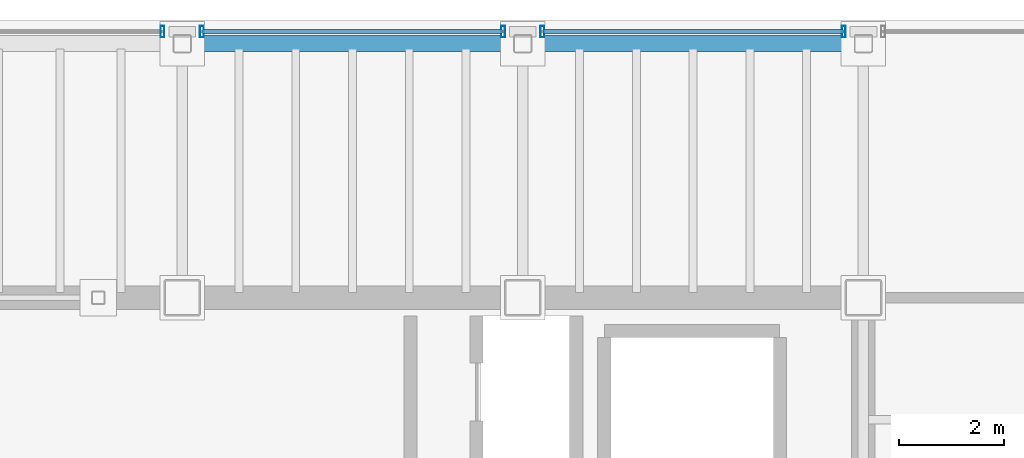
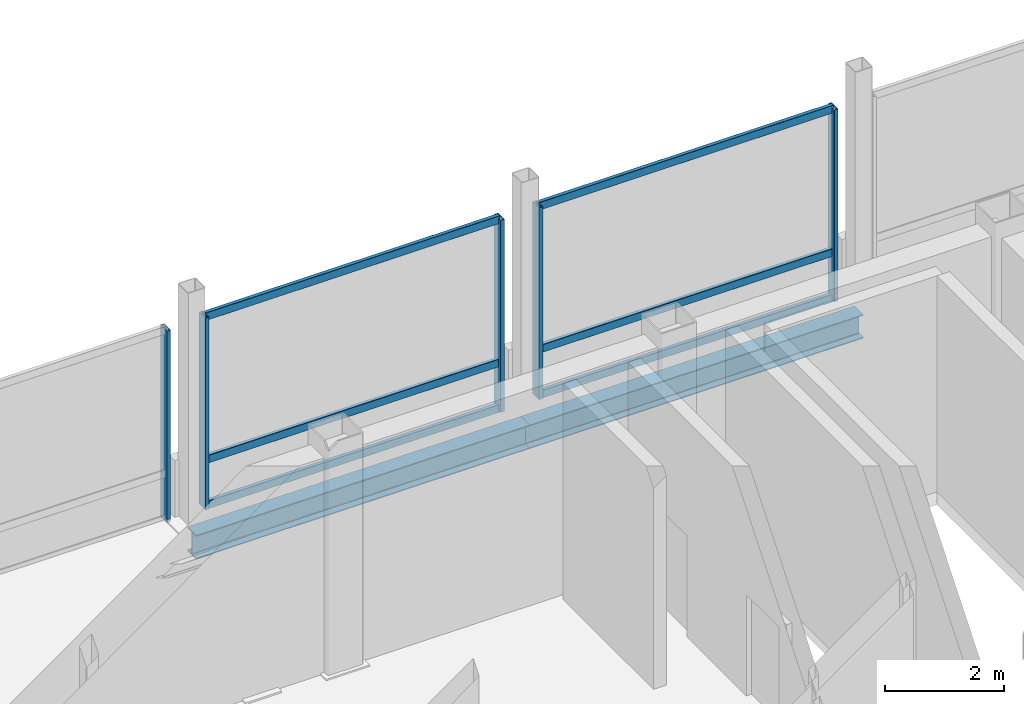
# One storey, part 14 of 20: 11 members, 2 beams, 3 elements without a shape of their own.
"""IFC4 building model written with IfcOpenShell, lengths in metres."""

from ifc_helpers import new_model, si_unit, direction, frame, origin, origin_2d, place, context, subcontext, project, spatial, hollow_rectangle, i_section, extrude, material, material_profile, profile_set, type_object, element, aggregate, save


model = new_model("IFC4")

# Units and contexts
model_context = context("Model", 3, precision=1e-05, world=origin(), true_north=direction((0.0, 1.0)))
body_context = subcontext(model_context, "Body", "Model", "MODEL_VIEW")
ifc_project = project(units=[si_unit("LENGTHUNIT", "METRE"), si_unit("AREAUNIT", "SQUARE_METRE"), si_unit("VOLUMEUNIT", "CUBIC_METRE"), si_unit("PLANEANGLEUNIT", "RADIAN"), si_unit("MASSUNIT", "GRAM", prefix="KILO")], contexts=[model_context])

# Site, building, storey
site_placement = place(None, origin())
site = spatial("IfcSite", under=ifc_project, at=site_placement, CompositionType="ELEMENT")
building_placement = place(site_placement, origin())
building = spatial("IfcBuilding", under=site, at=building_placement, Name="Noeulbin Bourse Tower", CompositionType="ELEMENT")
storey_placement = place(building_placement, frame((0.0, 0.0, 312.60009765625)))
storey = spatial("IfcBuildingStorey", under=building, at=storey_placement, Name="L77", CompositionType="ELEMENT", Elevation=312.60009765625)

# Beams
ifc_material_1 = material(Name="Steel S355", Category="steel")
ifc_material_profile_1 = material_profile(ifc_material_1, i_section(OverallWidth=0.300048828125, OverallDepth=0.488037109375, WebThickness=0.010986328125, FlangeThickness=0.01806640625, FilletRadius=0.02197265625, at=origin_2d()), Name="H-488x300x11x18", Category="LoadBearing")
ifc_profile_set_1 = profile_set([ifc_material_profile_1], Name="Steel S355")
beam_type = type_object("IfcBeamType", Name="BM-SPN-488", PredefinedType="SPANDREL", material=ifc_profile_set_1)
for number, where, z_axis, x_axis, name in (
    (1, (31.0, 43.14990234375, -0.504150390625), (1.0, 0.0, 0.0), (0.0, 1.0, 0.0), "North Spandrel L77-2"),
    (2, (37.5, 43.14990234375, -0.504150390625), (1.0, 0.0, 0.0), (0.0, 1.0, 0.0), "North Spandrel L77-3"),
):
    element("IfcBeam", number, at=place(storey_placement, frame(where, z_axis=z_axis, x_axis=x_axis)), inside=storey, type_object=beam_type, Name=name, PredefinedType="SPANDREL", context=body_context, shape_type="SweptSolid", body=[
        extrude(i_section(OverallWidth=0.300048828125, OverallDepth=0.488037109375, WebThickness=0.010986328125, FlangeThickness=0.01806640625, FilletRadius=0.02197265625, at=origin_2d()), origin(), (0.0, 0.0, 1.0), 6.5),
    ])

# Curtain wall, member
ifc_material_2 = material(Name="High-Selectivity Low-Iron Glazing", Category="glass")
curtain_wall_type = type_object("IfcCurtainWallType", Name="CW-SYS-4", PredefinedType="NOTDEFINED", material=ifc_material_2)
curtain_wall_1_placement = place(storey_placement, origin())
curtain_wall_1 = element("IfcCurtainWall", 3, at=curtain_wall_1_placement, inside=storey, type_object=curtain_wall_type, Name="Unitised Curtain Wall CW-L77-N-S2", PredefinedType="NOTDEFINED")
ifc_material_3 = material(Name="Anodised Aluminium 6063-T6", Category="aluminium")
ifc_material_profile_2 = material_profile(ifc_material_3, hollow_rectangle(XDim=0.074951171875, YDim=0.219970703125, WallThickness=0.0048828125, InnerFilletRadius=0.00244140625, OuterFilletRadius=0.0048828125, at=origin_2d()), Name="ALU-MULL-75x220x5", Category="LoadBearing")
ifc_profile_set_2 = profile_set([ifc_material_profile_2], Name="Anodised Aluminium 6063-T6")
member_type_1 = type_object("IfcMemberType", Name="CW-SYS-4-MUL", PredefinedType="MULLION", material=ifc_profile_set_2)
member_1_placement = place(storey_placement, frame((30.625, 43.3798828125, -0.02001953125), z_axis=(0.0, 0.0, 1.0), x_axis=(1.0, 0.0, 0.0)))
member_1 = element("IfcMember", 4, at=member_1_placement, type_object=member_type_1, Name="Curtain Wall Mullion CW-L77-N-S2-M01", PredefinedType="MULLION", context=body_context, shape_type="SweptSolid", body=[
    extrude(hollow_rectangle(XDim=0.074951171875, YDim=0.219970703125, WallThickness=0.0048828125, InnerFilletRadius=0.00244140625, OuterFilletRadius=0.0048828125, at=origin_2d()), origin(), (0.0, 0.0, 1.0), 3.949951171875),
])
aggregate(curtain_wall_1, [member_1])

# Curtain wall, members
curtain_wall_2_placement = place(storey_placement, origin())
curtain_wall_2 = element("IfcCurtainWall", 5, at=curtain_wall_2_placement, inside=storey, type_object=curtain_wall_type, Name="Unitised Curtain Wall CW-L77-N-S3", PredefinedType="NOTDEFINED")
member_2_placement = place(storey_placement, frame((31.375, 43.3798828125, -0.02001953125), z_axis=(0.0, 0.0, 1.0), x_axis=(1.0, 0.0, 0.0)))
member_2 = element("IfcMember", 6, at=member_2_placement, type_object=member_type_1, Name="Curtain Wall Mullion CW-L77-N-S3-M00", PredefinedType="MULLION", context=body_context, shape_type="SweptSolid", body=[
    extrude(hollow_rectangle(XDim=0.074951171875, YDim=0.219970703125, WallThickness=0.0048828125, InnerFilletRadius=0.00244140625, OuterFilletRadius=0.0048828125, at=origin_2d()), origin(), (0.0, 0.0, 1.0), 3.949951171875),
])
member_3_placement = place(storey_placement, frame((37.125, 43.3798828125, -0.02001953125), z_axis=(0.0, 0.0, 1.0), x_axis=(1.0, 0.0, 0.0)))
member_3 = element("IfcMember", 7, at=member_3_placement, type_object=member_type_1, Name="Curtain Wall Mullion CW-L77-N-S3-M01", PredefinedType="MULLION", context=body_context, shape_type="SweptSolid", body=[
    extrude(hollow_rectangle(XDim=0.074951171875, YDim=0.219970703125, WallThickness=0.0048828125, InnerFilletRadius=0.00244140625, OuterFilletRadius=0.0048828125, at=origin_2d()), origin(), (0.0, 0.0, 1.0), 3.949951171875),
])

curtain_wall_3_placement = place(storey_placement, origin())
curtain_wall_3 = element("IfcCurtainWall", 8, at=curtain_wall_3_placement, inside=storey, type_object=curtain_wall_type, Name="Unitised Curtain Wall CW-L77-N-S4", PredefinedType="NOTDEFINED")
member_4_placement = place(storey_placement, frame((37.875, 43.3798828125, -0.02001953125), z_axis=(0.0, 0.0, 1.0), x_axis=(1.0, 0.0, 0.0)))
member_4 = element("IfcMember", 9, at=member_4_placement, type_object=member_type_1, Name="Curtain Wall Mullion CW-L77-N-S4-M00", PredefinedType="MULLION", context=body_context, shape_type="SweptSolid", body=[
    extrude(hollow_rectangle(XDim=0.074951171875, YDim=0.219970703125, WallThickness=0.0048828125, InnerFilletRadius=0.00244140625, OuterFilletRadius=0.0048828125, at=origin_2d()), origin(), (0.0, 0.0, 1.0), 3.949951171875),
])
member_5_placement = place(storey_placement, frame((43.625, 43.3798828125, -0.02001953125), z_axis=(0.0, 0.0, 1.0), x_axis=(1.0, 0.0, 0.0)))
member_5 = element("IfcMember", 10, at=member_5_placement, type_object=member_type_1, Name="Curtain Wall Mullion CW-L77-N-S4-M01", PredefinedType="MULLION", context=body_context, shape_type="SweptSolid", body=[
    extrude(hollow_rectangle(XDim=0.074951171875, YDim=0.219970703125, WallThickness=0.0048828125, InnerFilletRadius=0.00244140625, OuterFilletRadius=0.0048828125, at=origin_2d()), origin(), (0.0, 0.0, 1.0), 3.949951171875),
])

# Member
ifc_material_profile_3 = material_profile(ifc_material_3, hollow_rectangle(XDim=0.074951171875, YDim=0.159912109375, WallThickness=0.0048828125, InnerFilletRadius=0.00244140625, OuterFilletRadius=0.0048828125, at=origin_2d()), Name="ALU-TRAN-75x160x5", Category="LoadBearing")
ifc_profile_set_3 = profile_set([ifc_material_profile_3], Name="Anodised Aluminium 6063-T6")
member_type_2 = type_object("IfcMemberType", Name="CW-SYS-4-TRN", PredefinedType="USERDEFINED", material=ifc_profile_set_3)
member_6_placement = place(storey_placement, frame((31.385009765625, 43.3798828125, 0.010009765625), z_axis=(1.0, 0.0, 0.0), x_axis=(0.0, 1.0, 0.0)))
member_6 = element("IfcMember", 11, at=member_6_placement, type_object=member_type_2, Name="Curtain Wall Transom CW-L77-N-S3-T00", ObjectType="TRANSOM", PredefinedType="USERDEFINED", context=body_context, shape_type="SweptSolid", body=[
    extrude(hollow_rectangle(XDim=0.074951171875, YDim=0.159912109375, WallThickness=0.0048828125, InnerFilletRadius=0.00244140625, OuterFilletRadius=0.0048828125, at=origin_2d()), origin(), (0.0, 0.0, 1.0), 5.72998046875),
])

member_7_placement = place(storey_placement, frame((31.385009765625, 43.3798828125, 0.949951171875), z_axis=(1.0, 0.0, 0.0), x_axis=(0.0, 1.0, 0.0)))
member_7 = element("IfcMember", 12, at=member_7_placement, type_object=member_type_2, Name="Curtain Wall Transom CW-L77-N-S3-T01", ObjectType="TRANSOM", PredefinedType="USERDEFINED", context=body_context, shape_type="SweptSolid", body=[
    extrude(hollow_rectangle(XDim=0.074951171875, YDim=0.159912109375, WallThickness=0.0048828125, InnerFilletRadius=0.00244140625, OuterFilletRadius=0.0048828125, at=origin_2d()), origin(), (0.0, 0.0, 1.0), 5.72998046875),
])

member_8_placement = place(storey_placement, frame((31.385009765625, 43.3798828125, 3.89990234375), z_axis=(1.0, 0.0, 0.0), x_axis=(0.0, 1.0, 0.0)))
member_8 = element("IfcMember", 13, at=member_8_placement, type_object=member_type_2, Name="Curtain Wall Transom CW-L77-N-S3-T02", ObjectType="TRANSOM", PredefinedType="USERDEFINED", context=body_context, shape_type="SweptSolid", body=[
    extrude(hollow_rectangle(XDim=0.074951171875, YDim=0.159912109375, WallThickness=0.0048828125, InnerFilletRadius=0.00244140625, OuterFilletRadius=0.0048828125, at=origin_2d()), origin(), (0.0, 0.0, 1.0), 5.72998046875),
])

aggregate(curtain_wall_2, [member_2, member_3, member_6, member_7, member_8])

member_9_placement = place(storey_placement, frame((37.885009765625, 43.3798828125, 0.010009765625), z_axis=(1.0, 0.0, 0.0), x_axis=(0.0, 1.0, 0.0)))
member_9 = element("IfcMember", 14, at=member_9_placement, type_object=member_type_2, Name="Curtain Wall Transom CW-L77-N-S4-T00", ObjectType="TRANSOM", PredefinedType="USERDEFINED", context=body_context, shape_type="SweptSolid", body=[
    extrude(hollow_rectangle(XDim=0.074951171875, YDim=0.159912109375, WallThickness=0.0048828125, InnerFilletRadius=0.00244140625, OuterFilletRadius=0.0048828125, at=origin_2d()), origin(), (0.0, 0.0, 1.0), 5.72998046875),
])

member_10_placement = place(storey_placement, frame((37.885009765625, 43.3798828125, 0.949951171875), z_axis=(1.0, 0.0, 0.0), x_axis=(0.0, 1.0, 0.0)))
member_10 = element("IfcMember", 15, at=member_10_placement, type_object=member_type_2, Name="Curtain Wall Transom CW-L77-N-S4-T01", ObjectType="TRANSOM", PredefinedType="USERDEFINED", context=body_context, shape_type="SweptSolid", body=[
    extrude(hollow_rectangle(XDim=0.074951171875, YDim=0.159912109375, WallThickness=0.0048828125, InnerFilletRadius=0.00244140625, OuterFilletRadius=0.0048828125, at=origin_2d()), origin(), (0.0, 0.0, 1.0), 5.72998046875),
])

member_11_placement = place(storey_placement, frame((37.885009765625, 43.3798828125, 3.89990234375), z_axis=(1.0, 0.0, 0.0), x_axis=(0.0, 1.0, 0.0)))
member_11 = element("IfcMember", 16, at=member_11_placement, type_object=member_type_2, Name="Curtain Wall Transom CW-L77-N-S4-T02", ObjectType="TRANSOM", PredefinedType="USERDEFINED", context=body_context, shape_type="SweptSolid", body=[
    extrude(hollow_rectangle(XDim=0.074951171875, YDim=0.159912109375, WallThickness=0.0048828125, InnerFilletRadius=0.00244140625, OuterFilletRadius=0.0048828125, at=origin_2d()), origin(), (0.0, 0.0, 1.0), 5.72998046875),
])

aggregate(curtain_wall_3, [member_4, member_5, member_9, member_10, member_11])

save(model, "model.ifc")
